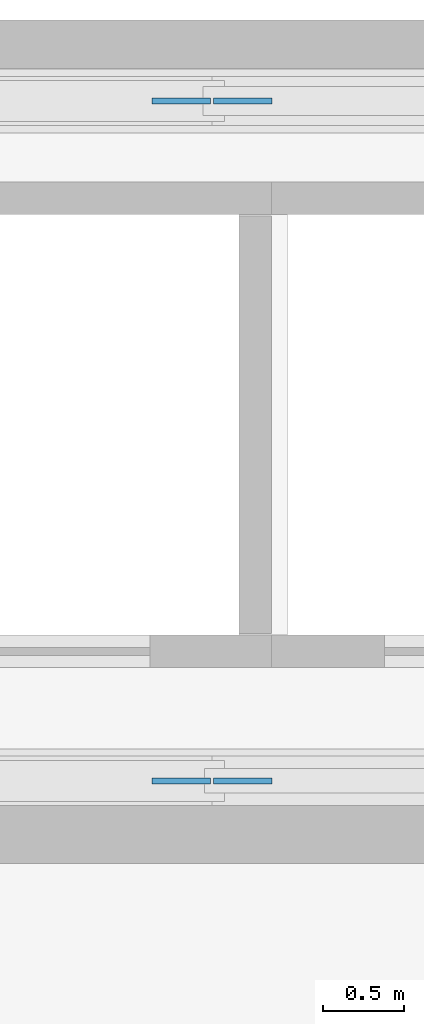
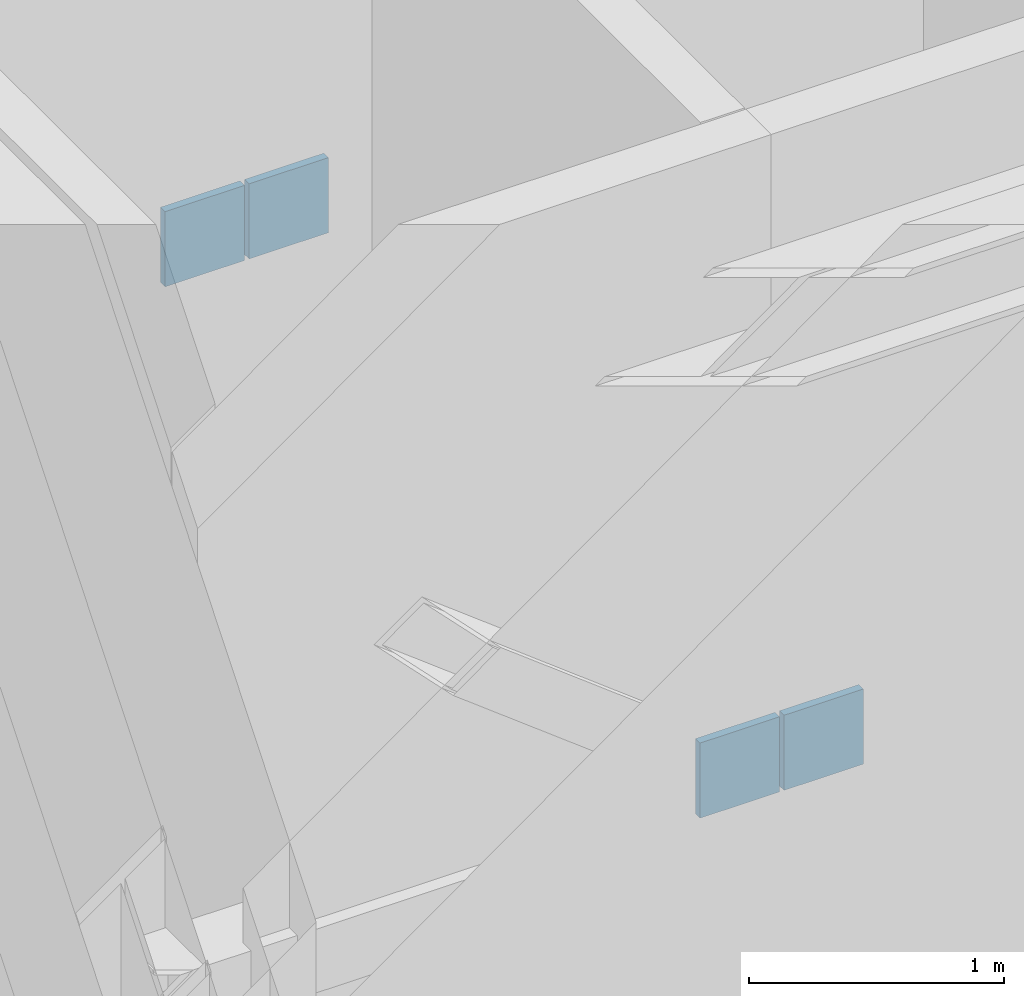
# One storey, part 18 of 29: 4 plates.
"""IFC4 building model written with IfcOpenShell, lengths in metres."""

from ifc_helpers import new_model, si_unit, direction, frame, origin, origin_2d, place, context, subcontext, project, spatial, rectangle, extrude, material, layer, layer_set, type_object, element, save


model = new_model("IFC4")

# Units and contexts
model_context = context("Model", 3, precision=1e-05, world=origin(), true_north=direction((0.0, 1.0)))
body_context = subcontext(model_context, "Body", "Model", "MODEL_VIEW")
ifc_project = project(units=[si_unit("LENGTHUNIT", "METRE"), si_unit("AREAUNIT", "SQUARE_METRE"), si_unit("VOLUMEUNIT", "CUBIC_METRE"), si_unit("PLANEANGLEUNIT", "RADIAN"), si_unit("MASSUNIT", "GRAM", prefix="KILO")], contexts=[model_context])

# Site, building, storey
site_placement = place(None, origin())
site = spatial("IfcSite", under=ifc_project, at=site_placement, CompositionType="ELEMENT")
building_placement = place(site_placement, origin())
building = spatial("IfcBuilding", under=site, at=building_placement, Name="Kolvaren Gate Tower and Convention Centre", CompositionType="ELEMENT")
storey_placement = place(building_placement, frame((0.0, 0.0, 21.0)))
storey = spatial("IfcBuildingStorey", under=building, at=storey_placement, Name="L04", CompositionType="ELEMENT", Elevation=21.0)

# Plates
ifc_material = material(Name="Structural steel plate ASTM A572 Grade 345 MPa", Category="steel")
ifc_layer = layer(ifc_material, 0.035888671875)
ifc_layer_set = layer_set([ifc_layer], Name="Structural steel plate ASTM A572 Grade 345 MPa")
plate_type = type_object("IfcPlateType", Name="STR-PL-END-36", PredefinedType="USERDEFINED", material=ifc_layer_set)
for number, where, z_axis, x_axis, name in (
    (1, (65.39306640625, 47.10009765625, 2.66650390625), (0.0, 0.0, 1.0), (1.0, 0.0, 0.0), "Structural Brace End Connection Gusset Plate EGP-169"),
    (2, (65.7734375, 47.10009765625, 2.66650390625), (0.0, 0.0, 1.0), (1.0, 0.0, 0.0), "Structural Brace End Connection Gusset Plate EGP-170"),
    (3, (65.39306640625, 51.300048828125, 2.66650390625), (0.0, 0.0, 1.0), (1.0, 0.0, 0.0), "Structural Brace End Connection Gusset Plate EGP-189"),
    (4, (65.7734375, 51.300048828125, 2.66650390625), (0.0, 0.0, 1.0), (1.0, 0.0, 0.0), "Structural Brace End Connection Gusset Plate EGP-190"),
):
    element("IfcPlate", number, at=place(storey_placement, frame(where, z_axis=z_axis, x_axis=x_axis)), inside=storey, type_object=plate_type, Name=name, ObjectType="GUSSET PLATE", PredefinedType="USERDEFINED", context=body_context, shape_type="SweptSolid", body=[
        extrude(rectangle(XDim=0.360107421875, YDim=0.035888671875, at=origin_2d()), origin(), (0.0, 0.0, 1.0), 0.360107421875),
    ])

save(model, "model.ifc")
